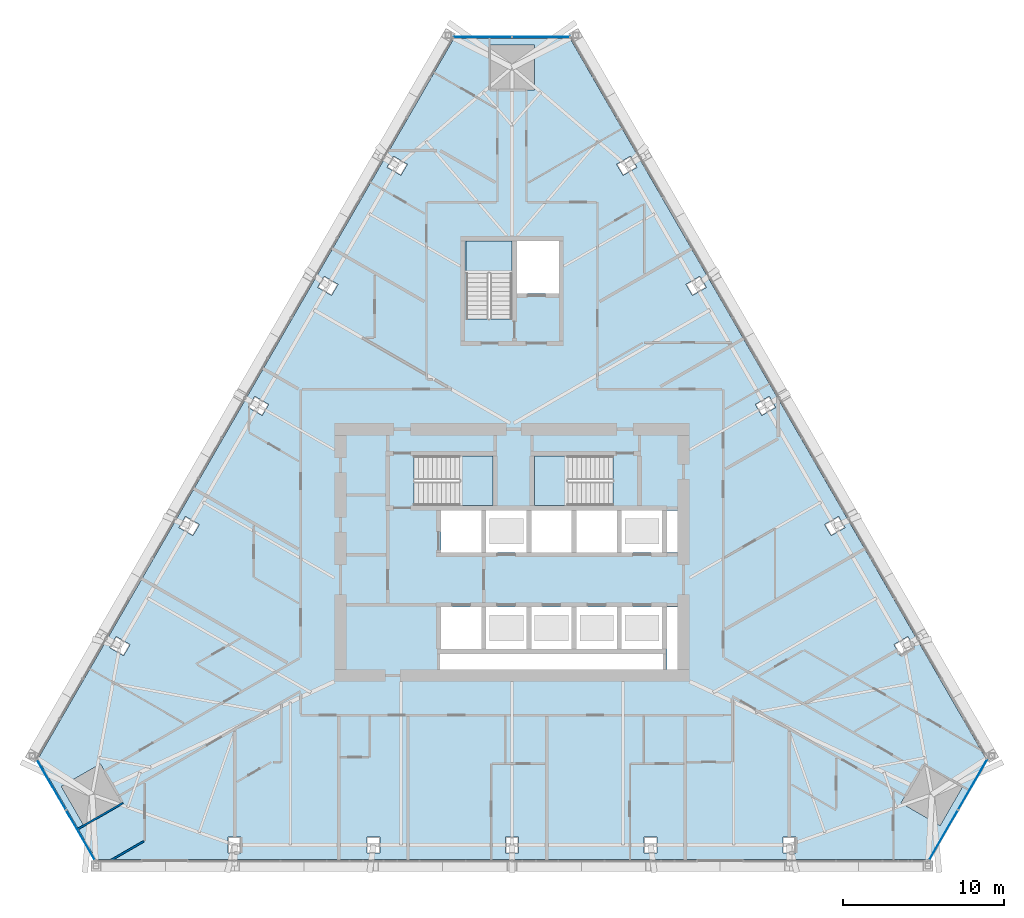
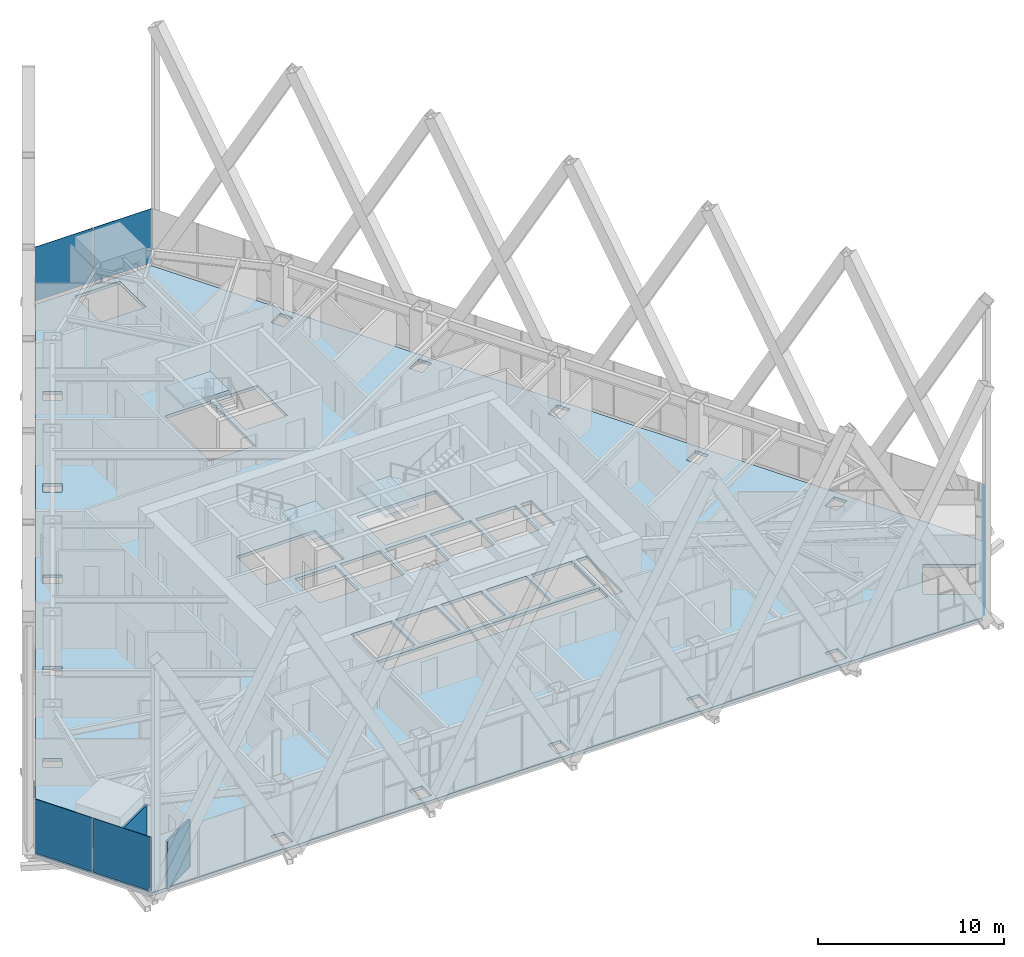
# One storey, part 16 of 23: 6 plates, 4 slabs, 2 walls, 6 elements without a shape of their own.
"""IFC4 building model written with IfcOpenShell, lengths in metres."""

from ifc_helpers import new_model, si_unit, direction, frame, frame_2d, origin, place, context, subcontext, project, spatial, polyline, rectangle, outline, extrude, material, layer, layer_set, type_object, element, aggregate, save


model = new_model("IFC4")

# Units and contexts
model_context = context("Model", 3, precision=1e-05, world=origin(), true_north=direction((0.0, 1.0)))
body_context = subcontext(model_context, "Body", "Model", "MODEL_VIEW")
ifc_project = project(units=[si_unit("LENGTHUNIT", "METRE"), si_unit("AREAUNIT", "SQUARE_METRE"), si_unit("VOLUMEUNIT", "CUBIC_METRE"), si_unit("PLANEANGLEUNIT", "RADIAN"), si_unit("MASSUNIT", "GRAM", prefix="KILO")], contexts=[model_context])

# Site, building, storey
site_placement = place(None, origin())
site = spatial("IfcSite", under=ifc_project, at=site_placement, CompositionType="ELEMENT")
building_placement = place(site_placement, origin())
building = spatial("IfcBuilding", under=site, at=building_placement, Name="Firuza Gate Tower and Library", CompositionType="ELEMENT")
storey_placement = place(building_placement, frame((0.0, 0.0, 202.60009765625)))
storey = spatial("IfcBuildingStorey", under=building, at=storey_placement, Name="L47", CompositionType="ELEMENT", Elevation=202.60009765625)

# Slab
ifc_material_1 = material(Name="Concrete C40/50", Category="concrete")
ifc_layer_1 = layer(ifc_material_1, 0.199951171875)
ifc_layer_set_1 = layer_set([ifc_layer_1], Name="Composite floor slab 200 C40/50")
slab_type_1 = type_object("IfcSlabType", Name="Composite floor slab 200 C40/50", PredefinedType="FLOOR", material=ifc_layer_set_1)
slab_1_placement = place(storey_placement, frame((0.0, 0.0, -0.2001953125)))
element("IfcSlab", 1, at=slab_1_placement, inside=storey, type_object=slab_type_1, Name="Floor slab L47", PredefinedType="FLOOR", context=body_context, shape_type="SweptSolid", body=[
    extrude(outline(polyline([(45.618896484375, 62.193603515625), (49.21875, 55.958251953125), (100.78125, 55.958251953125), (104.381103515625, 62.193603515625), (78.60009765625, 106.84814453125), (71.39990234375, 106.84814453125), (45.618896484375, 62.193603515625)]), holes=[polyline([(57.41259765625, 56.3583984375), (57.41259765625, 57.3583984375), (58.212646484375, 57.3583984375), (58.212646484375, 56.3583984375), (57.41259765625, 56.3583984375)]), polyline([(74.60009765625, 56.3583984375), (74.60009765625, 57.3583984375), (75.39990234375, 57.3583984375), (75.39990234375, 56.3583984375), (74.60009765625, 56.3583984375)]), polyline([(66.00634765625, 56.3583984375), (66.00634765625, 57.3583984375), (66.80615234375, 57.3583984375), (66.80615234375, 56.3583984375), (66.00634765625, 56.3583984375)]), polyline([(47.065185546875, 60.488525390625), (49.489990234375, 61.888427734375), (50.89013671875, 59.463623046875), (48.465087890625, 58.0634765625), (47.065185546875, 60.488525390625)]), polyline([(84.35009765625, 67.75), (70.550048828125, 67.75), (70.550048828125, 68.699951171875), (84.35009765625, 68.699951171875), (84.35009765625, 67.75)]), polyline([(50.462158203125, 69.782470703125), (51.328125, 69.282470703125), (50.927978515625, 68.589599609375), (50.06201171875, 69.089599609375), (50.462158203125, 69.782470703125)]), polyline([(73.10009765625, 69.0), (70.60009765625, 69.0), (70.60009765625, 71.60009765625), (73.10009765625, 71.60009765625), (73.10009765625, 69.0)]), polyline([(75.89990234375, 69.0), (73.39990234375, 69.0), (73.39990234375, 71.60009765625), (75.89990234375, 71.60009765625), (75.89990234375, 69.0)]), polyline([(73.10009765625, 75.0), (70.60009765625, 75.0), (70.60009765625, 77.60009765625), (73.10009765625, 77.60009765625), (73.10009765625, 75.0)]), polyline([(75.89990234375, 75.0), (73.39990234375, 75.0), (73.39990234375, 77.60009765625), (75.89990234375, 77.60009765625), (75.89990234375, 75.0)]), polyline([(54.759033203125, 77.224853515625), (55.625, 76.724853515625), (55.224853515625, 76.031982421875), (54.35888671875, 76.531982421875), (54.759033203125, 77.224853515625)]), polyline([(73.81005859375, 77.89990234375), (68.9404296875, 77.89990234375), (68.9404296875, 80.97998046875), (73.81005859375, 80.97998046875), (73.81005859375, 77.89990234375)]), polyline([(59.055908203125, 84.667236328125), (59.921875, 84.167236328125), (59.521728515625, 83.474365234375), (58.65576171875, 83.974365234375), (59.055908203125, 84.667236328125)]), polyline([(63.352783203125, 92.109619140625), (64.21875, 91.609619140625), (63.818603515625, 90.916748046875), (62.95263671875, 91.416748046875), (63.352783203125, 92.109619140625)]), polyline([(72.159912109375, 89.470458984375), (72.159912109375, 94.300048828125), (75.0, 94.300048828125), (75.0, 89.470458984375), (72.159912109375, 89.470458984375)]), polyline([(75.300048828125, 91.050048828125), (75.300048828125, 94.300048828125), (77.89990234375, 94.300048828125), (77.89990234375, 91.050048828125), (75.300048828125, 91.050048828125)]), polyline([(68.515625, 99.052001953125), (68.115478515625, 98.359130859375), (67.24951171875, 98.859130859375), (67.649658203125, 99.552001953125), (68.515625, 99.052001953125)]), polyline([(76.39990234375, 106.447998046875), (76.39990234375, 103.64794921875), (73.60009765625, 103.64794921875), (73.60009765625, 106.447998046875), (76.39990234375, 106.447998046875)]), polyline([(91.787353515625, 56.3583984375), (91.787353515625, 57.3583984375), (92.58740234375, 57.3583984375), (92.58740234375, 56.3583984375), (91.787353515625, 56.3583984375)]), polyline([(83.19384765625, 56.3583984375), (83.19384765625, 57.3583984375), (83.99365234375, 57.3583984375), (83.99365234375, 56.3583984375), (83.19384765625, 56.3583984375)]), polyline([(101.534912109375, 58.0634765625), (99.10986328125, 59.463623046875), (100.510009765625, 61.888427734375), (102.934814453125, 60.488525390625), (101.534912109375, 58.0634765625)]), polyline([(99.93798828125, 69.089599609375), (99.072021484375, 68.589599609375), (98.671875, 69.282470703125), (99.537841796875, 69.782470703125), (99.93798828125, 69.089599609375)]), polyline([(85.25, 67.75), (84.60009765625, 67.75), (84.60009765625, 71.60009765625), (85.25, 71.60009765625), (85.25, 67.75)]), polyline([(81.5, 69.0), (79.0, 69.0), (79.0, 71.60009765625), (81.5, 71.60009765625), (81.5, 69.0)]), polyline([(81.800048828125, 69.0), (81.800048828125, 71.60009765625), (84.300048828125, 71.60009765625), (84.300048828125, 69.0), (81.800048828125, 69.0)]), polyline([(76.199951171875, 69.0), (76.199951171875, 71.60009765625), (78.699951171875, 71.60009765625), (78.699951171875, 69.0), (76.199951171875, 69.0)]), polyline([(81.5, 75.0), (79.0, 75.0), (79.0, 77.60009765625), (81.5, 77.60009765625), (81.5, 75.0)]), polyline([(84.300048828125, 75.0), (81.800048828125, 75.0), (81.800048828125, 77.60009765625), (84.300048828125, 77.60009765625), (84.300048828125, 75.0)]), polyline([(85.25, 75.0), (84.60009765625, 75.0), (84.60009765625, 77.60009765625), (85.25, 77.60009765625), (85.25, 75.0)]), polyline([(78.699951171875, 75.0), (76.199951171875, 75.0), (76.199951171875, 77.60009765625), (78.699951171875, 77.60009765625), (78.699951171875, 75.0)]), polyline([(95.64111328125, 76.531982421875), (94.775146484375, 76.031982421875), (94.375, 76.724853515625), (95.240966796875, 77.224853515625), (95.64111328125, 76.531982421875)]), polyline([(81.259521484375, 77.89990234375), (76.389892578125, 77.89990234375), (76.389892578125, 80.97998046875), (81.259521484375, 80.97998046875), (81.259521484375, 77.89990234375)]), polyline([(91.34423828125, 83.974365234375), (90.478271484375, 83.474365234375), (90.078125, 84.167236328125), (90.944091796875, 84.667236328125), (91.34423828125, 83.974365234375)]), polyline([(86.181396484375, 90.916748046875), (85.78125, 91.609619140625), (86.647216796875, 92.109619140625), (87.04736328125, 91.416748046875), (86.181396484375, 90.916748046875)]), polyline([(81.884521484375, 98.359130859375), (81.484375, 99.052001953125), (82.350341796875, 99.552001953125), (82.75048828125, 98.859130859375), (81.884521484375, 98.359130859375)])]), origin(), (0.0, 0.0, 1.0), 0.2001953125),
])

# Curtain wall, plates
ifc_material_2 = material(Name="Aluminium 6063-T6", Category="aluminium")
ifc_layer_2 = layer(ifc_material_2, 0.14990234375)
ifc_layer_set_2 = layer_set([ifc_layer_2], Name="Corner curtain wall, chamfers")
curtain_wall_type = type_object("IfcCurtainWallType", Name="Corner curtain wall, chamfers", PredefinedType="NOTDEFINED", material=ifc_layer_set_2)
placement_1 = place(storey_placement, origin())
curtain_wall_1 = element("IfcCurtainWall", 2, at=placement_1, inside=storey, type_object=curtain_wall_type, Name="CW4 L47 SE corner", PredefinedType="NOTDEFINED")
ifc_material_3 = material(Name="Fritted glass", Category="glass")
ifc_layer_3 = layer(ifc_material_3, 0.030029296875)
ifc_layer_set_3 = layer_set([ifc_layer_3], Name="Fritted glass unit, corners")
plate_type = type_object("IfcPlateType", Name="Fritted glass unit, corners", PredefinedType="CURTAIN_PANEL", material=ifc_layer_set_3)
plate_1_placement = place(storey_placement, frame((100.857421875, 55.910400390625, 0.14990234375), z_axis=(0.866016723041, -0.500015035186, 0.0), x_axis=(0.500015035186, 0.866016723041, 0.0)))
plate_1 = element("IfcPlate", 3, at=plate_1_placement, type_object=plate_type, Name="Glass unit", PredefinedType="CURTAIN_PANEL", context=body_context, shape_type="SweptSolid", body=[
    extrude(outline(polyline([(0.0, 0.0), (3.5633694106530625, 0.0), (3.5633694106530625, 3.550048828125), (0.0, 3.550048828125), (0.0, 0.0)])), origin(), (0.0, 0.0, -1.0), 0.030029296875),
])
plate_2_placement = place(storey_placement, frame((102.67919921875, 59.065673828125, 0.14990234375), z_axis=(0.866046390552, -0.49996364809, 0.0), x_axis=(0.49996364809, 0.866046390552, 0.0)))
plate_2 = element("IfcPlate", 4, at=plate_2_placement, type_object=plate_type, Name="Glass unit", PredefinedType="CURTAIN_PANEL", context=body_context, shape_type="SweptSolid", body=[
    extrude(outline(polyline([(0.0, 0.0), (3.563247342942594, 0.0), (3.563247342942594, 3.550048828125), (0.0, 3.550048828125), (0.0, 0.0)])), origin(), (0.0, 0.0, -1.0), 0.030029296875),
])
aggregate(curtain_wall_1, [plate_1, plate_2])

curtain_wall_2 = element("IfcCurtainWall", 5, at=placement_1, inside=storey, type_object=curtain_wall_type, Name="CW4 L47 N corner", PredefinedType="NOTDEFINED")
plate_3_placement = place(storey_placement, frame((78.603271484375, 106.93798828125, 0.14990234375), z_axis=(0.0, 1.0, 0.0), x_axis=(-1.0, 0.0, 0.0)))
plate_3 = element("IfcPlate", 6, at=plate_3_placement, type_object=plate_type, Name="Glass unit", PredefinedType="CURTAIN_PANEL", context=body_context, shape_type="SweptSolid", body=[
    extrude(outline(polyline([(0.0, 0.0), (3.563232421875, 0.0), (3.563232421875, 3.550048828125), (0.0, 3.550048828125), (0.0, 0.0)])), origin(), (0.0, 0.0, -1.0), 0.030029296875),
])
plate_4_placement = place(storey_placement, frame((74.9599609375, 106.93798828125, 0.14990234375), z_axis=(0.0, 1.0, 0.0), x_axis=(-1.0, 0.0, 0.0)))
plate_4 = element("IfcPlate", 7, at=plate_4_placement, type_object=plate_type, Name="Glass unit", PredefinedType="CURTAIN_PANEL", context=body_context, shape_type="SweptSolid", body=[
    extrude(outline(polyline([(0.0, 0.0), (3.563232421875, 0.0), (3.563232421875, 3.550048828125), (0.0, 3.550048828125), (0.0, 0.0)])), origin(), (0.0, 0.0, -1.0), 0.030029296875),
])
aggregate(curtain_wall_2, [plate_3, plate_4])

curtain_wall_3 = element("IfcCurtainWall", 8, at=placement_1, inside=storey, type_object=curtain_wall_type, Name="CW4 L47 SW corner", PredefinedType="NOTDEFINED")
plate_5_placement = place(storey_placement, frame((45.539306640625, 62.151611328125, 0.14990234375), z_axis=(-0.866046390552, -0.49996364809, 0.0), x_axis=(0.49996364809, -0.866046390552, 0.0)))
plate_5 = element("IfcPlate", 9, at=plate_5_placement, type_object=plate_type, Name="Glass unit", PredefinedType="CURTAIN_PANEL", context=body_context, shape_type="SweptSolid", body=[
    extrude(outline(polyline([(0.0, 0.0), (3.563247342942594, 0.0), (3.563247342942594, 3.550048828125), (0.0, 3.550048828125), (0.0, 0.0)])), origin(), (0.0, 0.0, -1.0), 0.030029296875),
])
plate_6_placement = place(storey_placement, frame((47.36083984375, 58.996337890625, 0.14990234375), z_axis=(-0.866016723041, -0.500015035186, 0.0), x_axis=(0.500015035186, -0.866016723041, 0.0)))
plate_6 = element("IfcPlate", 10, at=plate_6_placement, type_object=plate_type, Name="Glass unit", PredefinedType="CURTAIN_PANEL", context=body_context, shape_type="SweptSolid", body=[
    extrude(outline(polyline([(0.0, 0.0), (3.5633694106530625, 0.0), (3.5633694106530625, 3.550048828125), (0.0, 3.550048828125), (0.0, 0.0)])), origin(), (0.0, 0.0, -1.0), 0.030029296875),
])
aggregate(curtain_wall_3, [plate_5, plate_6])

# Stair, slab
ifc_material_4 = material(Name="Concrete C35/45", Category="concrete")
stair_type_1 = type_object("IfcStairType", Name="Exit stair ST7", PredefinedType="HALF_TURN_STAIR", material=ifc_material_4)
stair_1 = element("IfcStair", 11, at=placement_1, inside=storey, type_object=stair_type_1, Name="L47 Stair ST1", PredefinedType="HALF_TURN_STAIR")
ifc_material_5 = material(Name="Concrete C35/45", Category="concrete")
ifc_layer_4 = layer(ifc_material_5, 0.199951171875)
ifc_layer_set_4 = layer_set([ifc_layer_4], Name="Stair landing 200")
slab_type_2 = type_object("IfcSlabType", Name="Stair landing 200", PredefinedType="LANDING", material=ifc_layer_set_4)
placement_2 = place(storey_placement, frame((0.0, 0.0, 1.75)))
slab_2 = element("IfcSlab", 12, at=placement_2, type_object=slab_type_2, Name="ST1 landing 1", PredefinedType="LANDING", context=body_context, shape_type="SweptSolid", body=[
    extrude(outline(polyline([(71.739990234375, 77.89990234375), (73.81005859375, 77.89990234375), (73.81005859375, 80.97998046875), (71.739990234375, 80.97998046875), (71.739990234375, 77.89990234375)])), origin(), (0.0, 0.0, 1.0), 0.199951171875),
])
aggregate(stair_1, [slab_2])

stair_2 = element("IfcStair", 13, at=placement_1, inside=storey, type_object=stair_type_1, Name="L47 Stair ST2", PredefinedType="HALF_TURN_STAIR")
slab_3 = element("IfcSlab", 14, at=placement_2, type_object=slab_type_2, Name="ST2 landing 1", PredefinedType="LANDING", context=body_context, shape_type="SweptSolid", body=[
    extrude(outline(polyline([(78.4599609375, 80.97998046875), (76.389892578125, 80.97998046875), (76.389892578125, 77.89990234375), (78.4599609375, 77.89990234375), (78.4599609375, 80.97998046875)])), origin(), (0.0, 0.0, 1.0), 0.199951171875),
])
aggregate(stair_2, [slab_3])

ifc_material_6 = material(Name="Concrete C35/45", Category="concrete")
stair_type_2 = type_object("IfcStairType", Name="Exit stair ST16", PredefinedType="HALF_TURN_STAIR", material=ifc_material_6)
stair_3 = element("IfcStair", 15, at=placement_1, inside=storey, type_object=stair_type_2, Name="L47 Stair ST3", PredefinedType="HALF_TURN_STAIR")
slab_4 = element("IfcSlab", 16, at=placement_2, type_object=slab_type_2, Name="ST3 landing 1", PredefinedType="LANDING", context=body_context, shape_type="SweptSolid", body=[
    extrude(outline(polyline([(75.0, 92.27001953125), (75.0, 94.300048828125), (72.159912109375, 94.300048828125), (72.159912109375, 92.27001953125), (75.0, 92.27001953125)])), origin(), (0.0, 0.0, 1.0), 0.199951171875),
])
aggregate(stair_3, [slab_4])

# Walls
ifc_material_7 = material(Name="Gypsum board partition")
ifc_layer_5 = layer(ifc_material_7, 0.1201171875)
ifc_layer_set_5 = layer_set([ifc_layer_5], Name="Wet-area partition 120 moisture-resistant board")
wall_type = type_object("IfcWallType", Name="Wet-area partition 120 moisture-resistant board", PredefinedType="PARTITIONING", material=ifc_layer_set_5)
wall_1_placement = place(storey_placement, frame((50.11474609375, 55.898193359375, 0.0), z_axis=(0.0, 0.0, 1.0), x_axis=(0.865977459579, 0.500083032607, 0.0)))
element("IfcWall", 17, at=wall_1_placement, inside=storey, type_object=wall_type, Name="f:L47:w024", PredefinedType="PARTITIONING", context=body_context, shape_type="SweptSolid", body=[
    extrude(rectangle(XDim=2.38330078125, YDim=0.1201171875, at=frame_2d((1.191650390625, 0.0))), origin(), (0.0, 0.0, 1.0), 3.099853515625),
])
wall_2_placement = place(storey_placement, frame((48.06689453125, 57.833740234375, 0.0), z_axis=(0.0, 0.0, 1.0), x_axis=(0.866035906198, 0.499981808845, 0.0)))
element("IfcWall", 18, at=wall_2_placement, inside=storey, type_object=wall_type, Name="f:L47:w027", PredefinedType="PARTITIONING", context=body_context, shape_type="SweptSolid", body=[
    extrude(rectangle(XDim=3.25927734375, YDim=0.1201171875, at=frame_2d((1.629638671875, 0.0))), origin(), (0.0, 0.0, 1.0), 3.099853515625),
])

save(model, "model.ifc")
